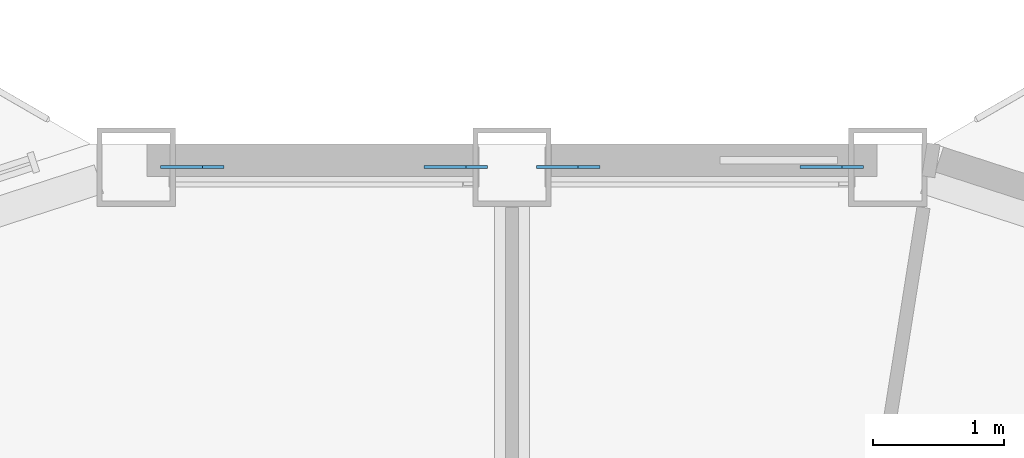
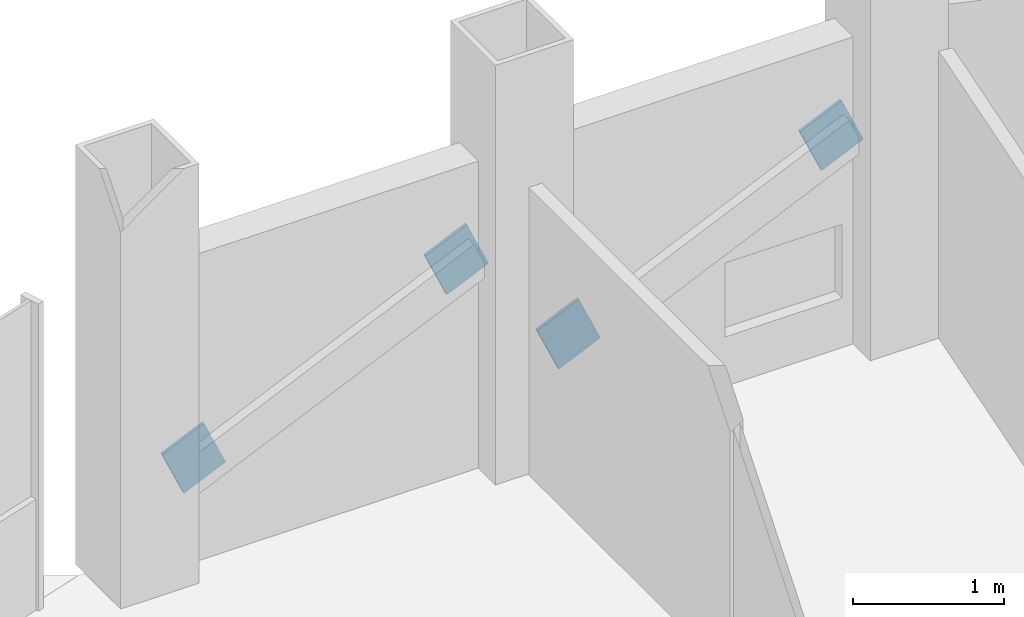
# One storey, part 21 of 26: 4 discrete accessories.
"""IFC4 building model written with IfcOpenShell, lengths in metres."""

import ifcopenshell
import ifcopenshell.guid

model = None  # the IFC model being written
_history = None  # IfcOwnerHistory: only IFC2X3 demands one
_inside = {}  # id of a spatial element -> (the spatial element, [elements in it])
_under = {}  # id of a project, library or spatial element -> (it, [spatial elements below it])
_declared = {}  # id of a project -> (the project, [libraries it declares])
_typed = {}  # id of a type object -> (the type object, [elements of that type])
_made_of = {}  # id of a material, layer set ... -> (it, [elements and type objects made of it])


def new_model(schema):
    """Start an empty IFC model of exactly this schema.

    Asked for "IFC4X3", IfcOpenShell would pick the latest addendum, in which some entities
    have other attributes; the version numbers below select the first issue.
    IFC2X3 requires an IfcOwnerHistory on every rooted entity: one is made here for all.
    """
    global model, _history
    if schema == "IFC4X3":
        model = ifcopenshell.file(schema_version=(4, 3, 0, 0))
    else:
        model = ifcopenshell.file(schema=schema)
    _inside.clear()
    _under.clear()
    _declared.clear()
    _typed.clear()
    _made_of.clear()
    _history = None
    if model.schema == "IFC2X3":
        org = make("IfcOrganization", Name="unknown")
        user = make(
            "IfcPersonAndOrganization",
            ThePerson=make("IfcPerson", FamilyName="unknown"),
            TheOrganization=org,
        )
        app = make(
            "IfcApplication",
            ApplicationDeveloper=org,
            Version="unknown",
            ApplicationFullName="unknown",
            ApplicationIdentifier="unknown",
        )
        _history = make(
            "IfcOwnerHistory",
            OwningUser=user,
            OwningApplication=app,
            ChangeAction="ADDED",
            CreationDate=0,
        )
    return model


def make(cls, **values):
    """One entity of the class cls with the attributes given. An attribute that is None is left unset."""
    return model.create_entity(
        cls, **{name: value for name, value in values.items() if value is not None}
    )


def rooted(cls, **values):
    """An entity with a GlobalId (a new one), such as an element, a storey or a relation."""
    return make(cls, GlobalId=ifcopenshell.guid.new(), OwnerHistory=_history, **values)


def si_unit(unit_type, name, prefix=None):
    """IfcSIUnit, for example si_unit("LENGTHUNIT", "METRE", prefix="MILLI")."""
    return make("IfcSIUnit", UnitType=unit_type, Prefix=prefix, Name=name)


def assignment(units):
    """IfcUnitAssignment: the units of a project."""
    return None if units is None else make("IfcUnitAssignment", Units=units)


def point(xyz):
    """IfcCartesianPoint."""
    return None if xyz is None else make("IfcCartesianPoint", Coordinates=xyz)


def direction(xyz):
    """IfcDirection."""
    return None if xyz is None else make("IfcDirection", DirectionRatios=xyz)


def frame(location, z_axis=None, x_axis=None):
    """IfcAxis2Placement3D, a coordinate frame: its origin and axes. An axis left out is left unset."""
    return make(
        "IfcAxis2Placement3D",
        Location=point(location),
        Axis=direction(z_axis),
        RefDirection=direction(x_axis),
    )


def frame_2d(location, x_axis=None):
    """IfcAxis2Placement2D, a coordinate frame in the plane: its origin and x axis."""
    return make(
        "IfcAxis2Placement2D", Location=point(location), RefDirection=direction(x_axis)
    )


def origin():
    """The frame at (0, 0, 0) with its axes left unset."""
    return frame((0.0, 0.0, 0.0))


def origin_2d():
    """The frame at (0, 0) in the plane with its x axis left unset."""
    return frame_2d((0.0, 0.0))


def place(relative_to, where):
    """IfcLocalPlacement: puts the frame where relative to a parent placement (None: the world)."""
    return make(
        "IfcLocalPlacement", PlacementRelTo=relative_to, RelativePlacement=where
    )


def context(
    kind, dimensions, precision=None, world=None, true_north=None, identifier=None
):
    """IfcGeometricRepresentationContext, for example the 3D "Model" context."""
    return make(
        "IfcGeometricRepresentationContext",
        ContextIdentifier=identifier,
        ContextType=kind,
        CoordinateSpaceDimension=dimensions,
        Precision=precision,
        WorldCoordinateSystem=world,
        TrueNorth=true_north,
    )


def subcontext(parent, identifier, kind, view, scale=None):
    """IfcGeometricRepresentationSubContext, for example "Body" below "Model"."""
    return make(
        "IfcGeometricRepresentationSubContext",
        ContextIdentifier=identifier,
        ContextType=kind,
        ParentContext=parent,
        TargetScale=scale,
        TargetView=view,
    )


def project(units=None, contexts=None):
    """IfcProject with its units and contexts."""
    return rooted(
        "IfcProject",
        Name="project",
        RepresentationContexts=contexts,
        UnitsInContext=assignment(units),
    )


def spatial(cls, under=None, at=None, **own):
    """A site, building, storey or space (cls), placed at a placement, below another one or the project."""
    s = rooted(cls, ObjectPlacement=at, **own)
    if under is not None:
        _under.setdefault(under.id(), (under, []))[1].append(s)
    return s


def profile(cls, at=None, kind="AREA", **sizes):
    """A parametric profile (cls). Its sizes go by their IFC names, for example OverallWidth=200.0."""
    return make(cls, ProfileType=kind, Position=at, **sizes)


def rectangle(**sizes):
    """IfcRectangleProfileDef."""
    return profile("IfcRectangleProfileDef", **sizes)


def extrude(swept, where, along, depth):
    """IfcExtrudedAreaSolid: the profile swept, set in the frame where, extruded along a direction by depth."""
    return make(
        "IfcExtrudedAreaSolid",
        SweptArea=swept,
        Position=where,
        ExtrudedDirection=direction(along),
        Depth=depth,
    )


def shape(context_of_items, identifier, shape_type, items):
    """IfcShapeRepresentation: the items that make up one representation, for example the "Body"."""
    return make(
        "IfcShapeRepresentation",
        ContextOfItems=context_of_items,
        RepresentationIdentifier=identifier,
        RepresentationType=shape_type,
        Items=items,
    )


def material(Name=None, Category=None):
    """IfcMaterial."""
    return make("IfcMaterial", Name=Name, Category=Category)


def material_profile(
    of_material, cross_section, Name=None, Category=None, Priority=None
):
    """IfcMaterialProfile: a cross section and its material."""
    return make(
        "IfcMaterialProfile",
        Name=Name,
        Material=of_material,
        Profile=cross_section,
        Priority=Priority,
        Category=Category,
    )


def profile_set(profiles, Name=None, composite=None):
    """IfcMaterialProfileSet."""
    return make(
        "IfcMaterialProfileSet",
        Name=Name,
        MaterialProfiles=profiles,
        CompositeProfile=composite,
    )


def made_of(thing, what):
    """Note that an element or type object is made of a material, layer set ...; save() writes the relation."""
    if what is not None:
        _made_of.setdefault(what.id(), (what, []))[1].append(thing)
    return thing


def type_object(cls, material=None, **own):
    """A type object (cls), such as IfcWallType, which elements share."""
    return made_of(rooted(cls, **own), material)


def element(
    cls,
    number,
    at=None,
    inside=None,
    cuts=None,
    type_object=None,
    material=None,
    context=None,
    identifier="Body",
    shape_type=None,
    held_by="IfcProductDefinitionShape",
    body=None,
    shapes=None,
    **own,
):
    """One element of the class cls, such as IfcWall. Its Tag is "e" and its number.

    at: its placement. inside: the storey or other place that contains it. cuts: it is an
    opening in that element (IfcRelVoidsElement). A single representation is given by context,
    identifier, shape_type and body (its items); several are given by shapes. held_by: the class
    of the entity that holds the representations. save() writes the other relations.
    """
    e = rooted(cls, Tag="e%d" % number, ObjectPlacement=at, **own)
    if body is not None:
        shapes = [shape(context, identifier, shape_type, body)]
    if shapes is not None:
        e.Representation = make(held_by, Representations=shapes)
    if inside is not None:
        _inside.setdefault(inside.id(), (inside, []))[1].append(e)
    if cuts is not None:
        rooted(
            "IfcRelVoidsElement", RelatingBuildingElement=cuts, RelatedOpeningElement=e
        )
    if type_object is not None:
        _typed.setdefault(type_object.id(), (type_object, []))[1].append(e)
    return made_of(e, material)


def aggregate(whole, parts):
    """IfcRelAggregates: a whole, such as a stair, and the parts it consists of."""
    return rooted("IfcRelAggregates", RelatingObject=whole, RelatedObjects=parts)


def save(model, path):
    """Write the relations noted so far, then the file.

    IfcRelAggregates (storeys below a building ...), IfcRelContainedInSpatialStructure (elements
    in a storey), IfcRelDefinesByType, IfcRelAssociatesMaterial and IfcRelDeclares: one each for
    every whole, place, type object, material and project.
    """
    for whole, parts in _under.values():
        aggregate(whole, parts)
    for where, things in _inside.values():
        rooted(
            "IfcRelContainedInSpatialStructure",
            RelatedElements=things,
            RelatingStructure=where,
        )
    for kind, things in _typed.values():
        rooted("IfcRelDefinesByType", RelatedObjects=things, RelatingType=kind)
    for what, things in _made_of.values():
        rooted("IfcRelAssociatesMaterial", RelatedObjects=things, RelatingMaterial=what)
    for by, libraries in _declared.values():
        rooted("IfcRelDeclares", RelatingContext=by, RelatedDefinitions=libraries)
    model.write(path)


model = new_model("IFC4")

# Units and contexts
model_context = context("Model", 3, precision=1e-05, world=origin(), true_north=direction((0.0, 1.0)))
body_context = subcontext(model_context, "Body", "Model", "MODEL_VIEW")
ifc_project = project(units=[si_unit("LENGTHUNIT", "METRE"), si_unit("AREAUNIT", "SQUARE_METRE"), si_unit("VOLUMEUNIT", "CUBIC_METRE"), si_unit("PLANEANGLEUNIT", "RADIAN"), si_unit("MASSUNIT", "GRAM", prefix="KILO")], contexts=[model_context])

# Site, building, storey
site_placement = place(None, origin())
site = spatial("IfcSite", under=ifc_project, at=site_placement, CompositionType="ELEMENT")
building_placement = place(site_placement, origin())
building = spatial("IfcBuilding", under=site, at=building_placement, Name="Cormorant Prow Tower", CompositionType="ELEMENT")
storey_placement = place(building_placement, frame((0.0, 0.0, 322.199951171875)))
storey = spatial("IfcBuildingStorey", under=building, at=storey_placement, Name="L71", CompositionType="ELEMENT", Elevation=322.199951171875)

# Discrete accessories
ifc_material = material(Name="Structural steel ASTM A500 Gr C", Category="steel")
ifc_material_profile = material_profile(ifc_material, rectangle(XDim=0.02490234375, YDim=0.405029296875, at=origin_2d()), Name="Gusset plate 25x405")
ifc_profile_set = profile_set([ifc_material_profile], Name="Structural steel ASTM A500 Gr C")
discrete_accessory_type = type_object("IfcDiscreteAccessoryType", Name="Gusset plate 25x405", PredefinedType="BRACKET", material=ifc_profile_set)
for number, where, z_axis, x_axis, name in (
    (1, (0.588623046875, 31.676025390625, 0.86376953125), (-0.912599106234, 0.0, -0.408855562884), (0.0, -1.0, 0.0), "Gusset plate GP3 L71.N00.g0"),
    (2, (2.28515625, 31.676025390625, 1.624267578125), (0.912599106234, 0.0, 0.408855562884), (0.0, 1.0, 0.0), "Gusset plate GP3 L71.N00.g1"),
    (3, (-2.28515625, 31.676025390625, 0.86376953125), (-0.912599106234, 0.0, -0.408855562884), (0.0, -1.0, 0.0), "Gusset plate GP3 L71.N01.g0"),
    (4, (-0.588623046875, 31.676025390625, 1.624267578125), (0.912599106234, 0.0, 0.408855562884), (0.0, 1.0, 0.0), "Gusset plate GP3 L71.N01.g1"),
):
    element("IfcDiscreteAccessory", number, at=place(storey_placement, frame(where, z_axis=z_axis, x_axis=x_axis)), inside=storey, type_object=discrete_accessory_type, Name=name, PredefinedType="BRACKET", context=body_context, shape_type="SweptSolid", body=[
        extrude(rectangle(XDim=0.02490234375, YDim=0.405029296875, at=origin_2d()), origin(), (0.0, 0.0, 1.0), 0.349853515625),
    ])

save(model, "model.ifc")
